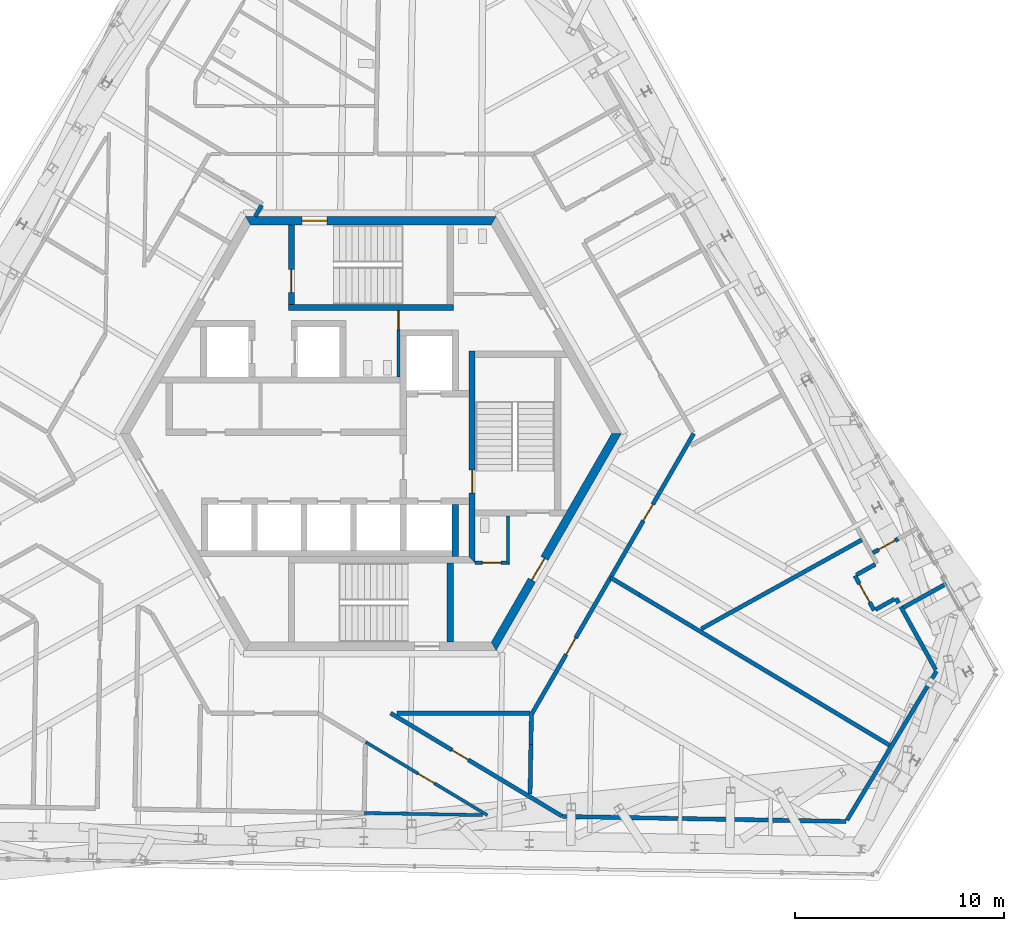
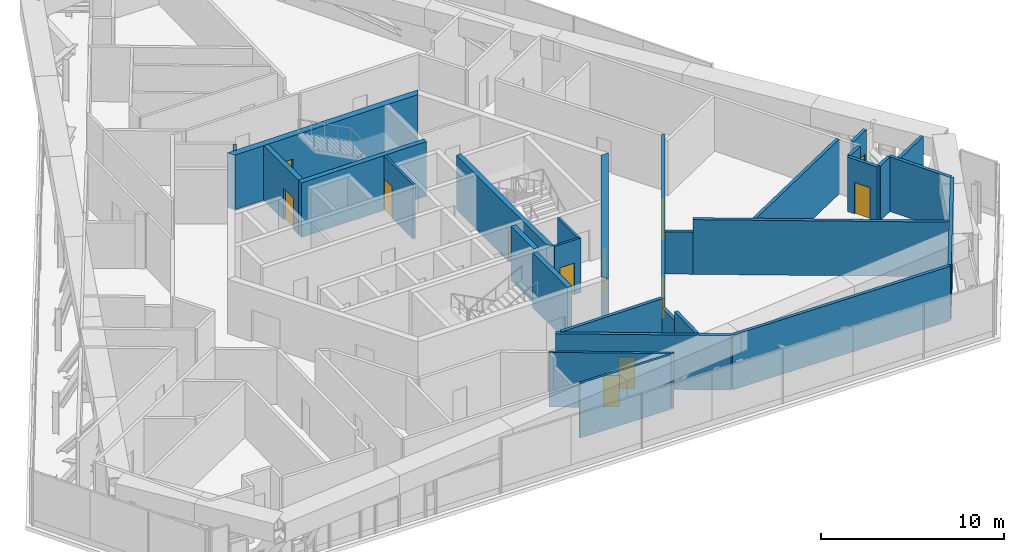
# One storey, part 17 of 28: 29 walls, 12 doors, 12 openings.
"""IFC4 building model written with IfcOpenShell, lengths in metres."""

from ifc_helpers import new_model, si_unit, direction, frame, frame_2d, origin, place, context, subcontext, project, spatial, polyline, rectangle, outline, extrude, source, transform, mapped, material, layer, layer_set, type_object, element, fill, save


model = new_model("IFC4")

# Units and contexts
model_context = context("Model", 3, precision=1e-05, world=origin(), true_north=direction((0.0, 1.0)))
body_context = subcontext(model_context, "Body", "Model", "MODEL_VIEW")
ifc_project = project(units=[si_unit("LENGTHUNIT", "METRE"), si_unit("AREAUNIT", "SQUARE_METRE"), si_unit("VOLUMEUNIT", "CUBIC_METRE"), si_unit("PLANEANGLEUNIT", "RADIAN"), si_unit("MASSUNIT", "GRAM", prefix="KILO")], contexts=[model_context])

# Site, building, storey
site_placement = place(None, origin())
site = spatial("IfcSite", under=ifc_project, at=site_placement, CompositionType="ELEMENT")
building_placement = place(site_placement, origin())
building = spatial("IfcBuilding", under=site, at=building_placement, Name="Triune Harvest Tower", CompositionType="ELEMENT")
storey_placement = place(building_placement, frame((0.0, 0.0, 215.89990234375)))
storey = spatial("IfcBuildingStorey", under=building, at=storey_placement, Name="L56", CompositionType="ELEMENT", Elevation=215.89990234375)

# Wall, opening, door
ifc_material_1 = material(Name="Gypsum board on steel studs", Category="steel")
ifc_layer_1 = layer(ifc_material_1, 0.14990234375)
ifc_layer_set_1 = layer_set([ifc_layer_1], Name="Gypsum board on steel studs")
wall_type_1 = type_object("IfcWallType", Name="Fire Partition 150 mm", PredefinedType="PARTITIONING", material=ifc_layer_set_1)
wall_1_placement = place(storey_placement, frame((-0.255126953125, -14.769287109375, 0.0), z_axis=(0.0, 0.0, 1.0), x_axis=(0.857160681813, -0.515049090431, 0.0)))
wall_1 = element("IfcWall", 1, at=wall_1_placement, inside=storey, type_object=wall_type_1, Name="Partition L56 016", PredefinedType="PARTITIONING", context=body_context, shape_type="SweptSolid", body=[
    extrude(rectangle(XDim=6.8115234375, YDim=0.14990234375, at=frame_2d((3.40576171875, 0.0))), origin(), (0.0, 0.0, 1.0), 3.64013671875),
])
opening_1_placement = place(wall_1_placement, frame((2.94677734375, 0.0, 0.0)))
opening_1 = element("IfcOpeningElement", 2, at=opening_1_placement, cuts=wall_1, Name="Opening L56-023", PredefinedType="OPENING", context=body_context, shape_type="SweptSolid", body=[
    extrude(rectangle(XDim=0.89990234375, YDim=2.10009765625, at=frame_2d((0.449951171875, 1.050048828125))), frame((0.0, 0.0849609375, 0.0), z_axis=(0.0, -1.0, 0.0), x_axis=(1.0, 0.0, 0.0)), (0.0, 0.0, 1.0), 0.169921875),
])
ifc_material_2 = material(Name="Timber and steel door set", Category="steel")
door_type_1 = type_object("IfcDoorType", Name="Single leaf door FD30 right hand 900 x 2100", OperationType="SINGLE_SWING_RIGHT", PredefinedType="DOOR", material=ifc_material_2)
door_1_placement = place(opening_1_placement, origin())
door_1 = element("IfcDoor", 3, at=door_1_placement, inside=storey, type_object=door_type_1, Name="Door L56-023 Dry Store Room 56.23", OperationType="SINGLE_SWING_RIGHT", OverallHeight=2.10009765625, OverallWidth=0.89990234375, PredefinedType="DOOR", context=body_context, shape_type="SweptSolid", body=[
    extrude(rectangle(XDim=0.89990234375, YDim=2.10009765625, at=frame_2d((0.449951171875, 1.050048828125))), frame((0.0, 0.02490234375, 0.0), z_axis=(0.0, -1.0, 0.0), x_axis=(1.0, 0.0, 0.0)), (0.0, 0.0, 1.0), 0.050048828125),
])
fill(opening_1, door_1)

ifc_material_3 = material(Name="Gypsum board on steel studs", Category="steel")
ifc_layer_2 = layer(ifc_material_3, 0.199951171875)
ifc_layer_set_2 = layer_set([ifc_layer_2], Name="Gypsum board on steel studs")
wall_type_2 = type_object("IfcWallType", Name="Fire Wall 200 mm", PredefinedType="PARTITIONING", material=ifc_layer_set_2)
wall_2_placement = place(storey_placement, frame((23.1845703125, -6.80810546875, 0.0), z_axis=(0.0, 0.0, 1.0), x_axis=(0.484846246178, -0.874599404052, 0.0)))
wall_2 = element("IfcWall", 4, at=wall_2_placement, inside=storey, type_object=wall_type_2, Name="Partition L56 002", PredefinedType="PARTITIONING", context=body_context, shape_type="SweptSolid", body=[
    extrude(rectangle(XDim=1.89990234375, YDim=0.199951171875, at=frame_2d((0.949951171875, 0.0))), origin(), (0.0, 0.0, 1.0), 3.64013671875),
])
opening_2_placement = place(wall_2_placement, frame((0.449951171875, 0.0, 0.0)))
opening_2 = element("IfcOpeningElement", 5, at=opening_2_placement, cuts=wall_2, Name="Opening L56-001", PredefinedType="OPENING", context=body_context, shape_type="SweptSolid", body=[
    extrude(rectangle(XDim=1.0, YDim=2.10009765625, at=frame_2d((0.5, 1.050048828125))), frame((0.0, 0.10986328125, 0.0), z_axis=(0.0, -1.0, 0.0), x_axis=(1.0, 0.0, 0.0)), (0.0, 0.0, 1.0), 0.219970703125),
])
ifc_material_4 = material(Name="Timber and steel door set", Category="steel")
door_type_2 = type_object("IfcDoorType", Name="Wide single leaf door FD60 right hand 1000 x 2100", OperationType="SINGLE_SWING_RIGHT", PredefinedType="DOOR", material=ifc_material_4)
door_2_placement = place(opening_2_placement, origin())
door_2 = element("IfcDoor", 6, at=door_2_placement, inside=storey, type_object=door_type_2, Name="Door L56-001 Refuge Area 56.01", OperationType="SINGLE_SWING_RIGHT", OverallHeight=2.10009765625, OverallWidth=1.0, PredefinedType="DOOR", context=body_context, shape_type="SweptSolid", body=[
    extrude(rectangle(XDim=1.0, YDim=2.10009765625, at=frame_2d((0.5, 1.050048828125))), frame((0.0, 0.02490234375, 0.0), z_axis=(0.0, -1.0, 0.0), x_axis=(1.0, 0.0, 0.0)), (0.0, 0.0, 1.0), 0.050048828125),
])
fill(opening_2, door_2)

# Wall
wall_3_placement = place(storey_placement, frame((25.1552734375, -7.88818359375, 0.0), z_axis=(0.0, 0.0, 1.0), x_axis=(0.4848241847, -0.874611633772, 0.0)))
element("IfcWall", 7, at=wall_3_placement, inside=storey, type_object=wall_type_2, Name="Partition L56 005", PredefinedType="PARTITIONING", context=body_context, shape_type="SweptSolid", body=[
    extrude(rectangle(XDim=3.92529296875, YDim=0.199951171875, at=frame_2d((1.962646484375, 0.0))), origin(), (0.0, 0.0, 1.0), 3.64013671875),
])

# Wall, opening, door
wall_4_placement = place(storey_placement, frame((0.948486328125, -13.39208984375, 0.0), z_axis=(0.0, 0.0, 1.0), x_axis=(0.857166606495, -0.515039230264, 0.0)))
wall_4 = element("IfcWall", 8, at=wall_4_placement, inside=storey, type_object=wall_type_2, Name="Partition L56 018", PredefinedType="PARTITIONING", context=body_context, shape_type="SweptSolid", body=[
    extrude(rectangle(XDim=9.5771484375, YDim=0.199951171875, at=frame_2d((4.78857421875, 0.0))), origin(), (0.0, 0.0, 1.0), 3.64013671875),
])
opening_3_placement = place(wall_4_placement, frame((3.438720703125, 0.0, 0.0)))
opening_3 = element("IfcOpeningElement", 9, at=opening_3_placement, cuts=wall_4, Name="Opening L56-024", PredefinedType="OPENING", context=body_context, shape_type="SweptSolid", body=[
    extrude(rectangle(XDim=0.89990234375, YDim=2.10009765625, at=frame_2d((0.449951171875, 1.050048828125))), frame((0.0, 0.10986328125, 0.0), z_axis=(0.0, -1.0, 0.0), x_axis=(1.0, 0.0, 0.0)), (0.0, 0.0, 1.0), 0.219970703125),
])
ifc_material_5 = material(Name="Timber and steel door set", Category="steel")
door_type_3 = type_object("IfcDoorType", Name="Single leaf door FD60 left hand 900 x 2100", OperationType="SINGLE_SWING_LEFT", PredefinedType="DOOR", material=ifc_material_5)
door_3_placement = place(opening_3_placement, origin())
door_3 = element("IfcDoor", 10, at=door_3_placement, inside=storey, type_object=door_type_3, Name="Door L56-024 Pump Plant Room 56.24", OperationType="SINGLE_SWING_LEFT", OverallHeight=2.10009765625, OverallWidth=0.89990234375, PredefinedType="DOOR", context=body_context, shape_type="SweptSolid", body=[
    extrude(rectangle(XDim=0.89990234375, YDim=2.10009765625, at=frame_2d((0.449951171875, 1.050048828125))), frame((0.0, 0.02490234375, 0.0), z_axis=(0.0, -1.0, 0.0), x_axis=(1.0, 0.0, 0.0)), (0.0, 0.0, 1.0), 0.050048828125),
])
fill(opening_3, door_3)

# Walls
wall_5_placement = place(storey_placement, frame((11.481201171875, -6.898681640625, 0.0), z_axis=(0.0, 0.0, 1.0), x_axis=(0.857212564842, -0.514962735231, 0.0)))
element("IfcWall", 11, at=wall_5_placement, inside=storey, type_object=wall_type_2, Name="Partition L56 021", PredefinedType="PARTITIONING", context=body_context, shape_type="SweptSolid", body=[
    extrude(rectangle(XDim=1.6142578125, YDim=0.199951171875, at=frame_2d((0.80712890625, 0.0))), origin(), (0.0, 0.0, 1.0), 2.79931640625),
])
wall_6_placement = place(storey_placement, frame((12.864990234375, -7.72998046875, 0.0), z_axis=(0.0, 0.0, 1.0), x_axis=(0.857160659401, -0.51504912773, 0.0)))
element("IfcWall", 12, at=wall_6_placement, inside=storey, type_object=wall_type_2, Name="Partition L56 021a", PredefinedType="PARTITIONING", context=body_context, shape_type="SweptSolid", body=[
    extrude(rectangle(XDim=14.076416015625, YDim=0.199951171875, at=frame_2d((7.0380859375, 0.0))), origin(), (0.0, 0.0, 1.0), 3.64013671875),
])
wall_7_placement = place(storey_placement, frame((9.18310546875, -18.34033203125, 0.0), z_axis=(0.0, 0.0, 1.0), x_axis=(0.999847807034, -0.017445995806, 0.0)))
element("IfcWall", 13, at=wall_7_placement, inside=storey, type_object=wall_type_2, Name="Partition L56 034", PredefinedType="PARTITIONING", context=body_context, shape_type="SweptSolid", body=[
    extrude(rectangle(XDim=13.588134765625, YDim=0.199951171875, at=frame_2d((6.7939453125, 0.0))), origin(), (0.0, 0.0, 1.0), 3.64013671875),
])
wall_8_placement = place(storey_placement, frame((1.262939453125, -13.392333984375, 0.0), z_axis=(0.0, 0.0, 1.0), x_axis=(1.0, 0.0, 0.0)))
element("IfcWall", 14, at=wall_8_placement, inside=storey, type_object=wall_type_2, Name="Partition L56 039", PredefinedType="PARTITIONING", context=body_context, shape_type="SweptSolid", body=[
    extrude(rectangle(XDim=6.36474609375, YDim=0.199951171875, at=frame_2d((3.182373046875, 0.0))), origin(), (0.0, 0.0, 1.0), 3.64013671875),
])
wall_9_placement = place(storey_placement, frame((25.49658203125, -8.339111328125, 0.0), z_axis=(0.0, 0.0, 1.0), x_axis=(0.874613696195, 0.484820464119, 0.0)))
element("IfcWall", 15, at=wall_9_placement, inside=storey, type_object=wall_type_2, Name="Partition L56 044", PredefinedType="PARTITIONING", context=body_context, shape_type="SweptSolid", body=[
    extrude(rectangle(XDim=2.420166015625, YDim=0.199951171875, at=frame_2d((1.2099609375, 0.0))), origin(), (0.0, 0.0, 1.0), 3.64013671875),
])

# Wall, opening, door
wall_10_placement = place(storey_placement, frame((24.042236328125, -5.715087890625, 0.0), z_axis=(0.0, 0.0, 1.0), x_axis=(0.874606139937, 0.484834095319, 0.0)))
wall_10 = element("IfcWall", 16, at=wall_10_placement, inside=storey, type_object=wall_type_2, Name="Partition L56 047", PredefinedType="PARTITIONING", context=body_context, shape_type="SweptSolid", body=[
    extrude(rectangle(XDim=1.38427734375, YDim=0.199951171875, at=frame_2d((0.692138671875, 0.0))), origin(), (0.0, 0.0, 1.0), 3.64013671875),
])
opening_4_placement = place(wall_10_placement, frame((0.320068359375, 0.0, 0.0)))
opening_4 = element("IfcOpeningElement", 17, at=opening_4_placement, cuts=wall_10, Name="Opening L56-026", PredefinedType="OPENING", context=body_context, shape_type="SweptSolid", body=[
    extrude(rectangle(XDim=0.89990234375, YDim=2.10009765625, at=frame_2d((0.449951171875, 1.050048828125))), frame((0.0, 0.10986328125, 0.0), z_axis=(0.0, -1.0, 0.0), x_axis=(1.0, 0.0, 0.0)), (0.0, 0.0, 1.0), 0.219970703125),
])
ifc_material_6 = material(Name="Timber and steel door set", Category="steel")
door_type_4 = type_object("IfcDoorType", Name="Single leaf door FD60 right hand 900 x 2100", OperationType="SINGLE_SWING_RIGHT", PredefinedType="DOOR", material=ifc_material_6)
door_4_placement = place(opening_4_placement, origin())
door_4 = element("IfcDoor", 18, at=door_4_placement, inside=storey, type_object=door_type_4, Name="Door L56-026 Refuge Lobby 56.26", OperationType="SINGLE_SWING_RIGHT", OverallHeight=2.10009765625, OverallWidth=0.89990234375, PredefinedType="DOOR", context=body_context, shape_type="SweptSolid", body=[
    extrude(rectangle(XDim=0.89990234375, YDim=2.10009765625, at=frame_2d((0.449951171875, 1.050048828125))), frame((0.0, 0.02490234375, 0.0), z_axis=(0.0, -1.0, 0.0), x_axis=(1.0, 0.0, 0.0)), (0.0, 0.0, 1.0), 0.050048828125),
])
fill(opening_4, door_4)

# Walls
wall_11_placement = place(storey_placement, frame((15.823486328125, -9.356201171875, 0.0), z_axis=(0.0, 0.0, 1.0), x_axis=(0.87461786754, 0.484812938956, 0.0)))
element("IfcWall", 19, at=wall_11_placement, inside=storey, type_object=wall_type_2, Name="Partition L56 048", PredefinedType="PARTITIONING", context=body_context, shape_type="SweptSolid", body=[
    extrude(rectangle(XDim=8.79345703125, YDim=0.199951171875, at=frame_2d((4.396728515625, 0.0))), origin(), (0.0, 0.0, 1.0), 3.64013671875),
])
wall_12_placement = place(storey_placement, frame((22.805419921875, -18.51708984375, 0.0), z_axis=(0.0, 0.0, 1.0), x_axis=(0.515052104833, 0.857158870518, 0.0)))
element("IfcWall", 20, at=wall_12_placement, inside=storey, type_object=wall_type_2, Name="Partition L56 058", PredefinedType="PARTITIONING", context=body_context, shape_type="SweptSolid", body=[
    extrude(rectangle(XDim=8.3232421875, YDim=0.199951171875, at=frame_2d((4.16162109375, 0.0))), origin(), (0.0, 0.0, 1.0), 3.64013671875),
])

# Wall, openings, doors
wall_13_placement = place(storey_placement, frame((7.693603515625, -13.458251953125, 0.0), z_axis=(0.0, 0.0, 1.0), x_axis=(0.500028414522, 0.866008998031, 0.0)))
wall_13 = element("IfcWall", 21, at=wall_13_placement, inside=storey, type_object=wall_type_2, Name="Partition L56 067", PredefinedType="PARTITIONING", context=body_context, shape_type="SweptSolid", body=[
    extrude(rectangle(XDim=15.541015625, YDim=0.199951171875, at=frame_2d((7.7705078125, 0.0))), origin(), (0.0, 0.0, 1.0), 3.64013671875),
])
opening_5_placement = place(wall_13_placement, frame((10.724609375, 0.0, 0.0)))
opening_5 = element("IfcOpeningElement", 22, at=opening_5_placement, cuts=wall_13, Name="Opening L56-002", PredefinedType="OPENING", context=body_context, shape_type="SweptSolid", body=[
    extrude(rectangle(XDim=0.89990234375, YDim=2.10009765625, at=frame_2d((0.449951171875, 1.050048828125))), frame((0.0, 0.10986328125, 0.0), z_axis=(0.0, -1.0, 0.0), x_axis=(1.0, 0.0, 0.0)), (0.0, 0.0, 1.0), 0.219970703125),
])
opening_6_placement = place(wall_13_placement, frame((3.326416015625, 0.0, 0.0)))
opening_6 = element("IfcOpeningElement", 23, at=opening_6_placement, cuts=wall_13, Name="Opening L56-025", PredefinedType="OPENING", context=body_context, shape_type="SweptSolid", body=[
    extrude(rectangle(XDim=0.89990234375, YDim=2.10009765625, at=frame_2d((0.449951171875, 1.050048828125))), frame((0.0, 0.10986328125, 0.0), z_axis=(0.0, -1.0, 0.0), x_axis=(1.0, 0.0, 0.0)), (0.0, 0.0, 1.0), 0.219970703125),
])
door_5_placement = place(opening_5_placement, origin())
door_5 = element("IfcDoor", 24, at=door_5_placement, inside=storey, type_object=door_type_3, Name="Door L56-002 Fire Pump Room 56.02", OperationType="SINGLE_SWING_LEFT", OverallHeight=2.10009765625, OverallWidth=0.89990234375, PredefinedType="DOOR", context=body_context, shape_type="SweptSolid", body=[
    extrude(rectangle(XDim=0.89990234375, YDim=2.10009765625, at=frame_2d((0.449951171875, 1.050048828125))), frame((0.0, 0.02490234375, 0.0), z_axis=(0.0, -1.0, 0.0), x_axis=(1.0, 0.0, 0.0)), (0.0, 0.0, 1.0), 0.050048828125),
])
fill(opening_5, door_5)
door_6_placement = place(opening_6_placement, origin())
door_6 = element("IfcDoor", 25, at=door_6_placement, inside=storey, type_object=door_type_4, Name="Door L56-025 Water Tank Room 56.25", OperationType="SINGLE_SWING_RIGHT", OverallHeight=2.10009765625, OverallWidth=0.89990234375, PredefinedType="DOOR", context=body_context, shape_type="SweptSolid", body=[
    extrude(rectangle(XDim=0.89990234375, YDim=2.10009765625, at=frame_2d((0.449951171875, 1.050048828125))), frame((0.0, 0.02490234375, 0.0), z_axis=(0.0, -1.0, 0.0), x_axis=(1.0, 0.0, 0.0)), (0.0, 0.0, 1.0), 0.050048828125),
])
fill(opening_6, door_6)

# Walls
wall_14_placement = place(storey_placement, frame((7.627197265625, -17.253662109375, 0.0), z_axis=(0.0, 0.0, 1.0), x_axis=(0.017497579689, 0.999846905634, 0.0)))
element("IfcWall", 26, at=wall_14_placement, inside=storey, type_object=wall_type_2, Name="Partition L56 071", PredefinedType="PARTITIONING", context=body_context, shape_type="SweptSolid", body=[
    extrude(rectangle(XDim=2.35791015625, YDim=0.199951171875, at=frame_2d((1.178955078125, 0.0))), origin(), (0.0, 0.0, 1.0), 3.64013671875),
])
wall_15_placement = place(storey_placement, frame((7.66845703125, -14.89599609375, 0.0), z_axis=(0.0, 0.0, 1.0), x_axis=(0.017388674879, 0.999848805563, 0.0)))
element("IfcWall", 27, at=wall_15_placement, inside=storey, type_object=wall_type_2, Name="Partition L56 071a", PredefinedType="PARTITIONING", context=body_context, shape_type="SweptSolid", body=[
    extrude(rectangle(XDim=1.404052734375, YDim=0.199951171875, at=frame_2d((0.7021484375, 0.0))), origin(), (0.0, 0.0, 1.0), 3.02783203125),
])

# Wall, opening, door
ifc_material_7 = material(Name="Concrete 70 MPa", Category="concrete")
ifc_layer_3 = layer(ifc_material_7, 0.39990234375)
ifc_layer_set_3 = layer_set([ifc_layer_3], Name="Concrete 70 MPa")
wall_type_3 = type_object("IfcWallType", Name="Core wall 400", PredefinedType="SHEAR", material=ifc_layer_set_3)
shared_shape_1 = source(origin(), body_context, "Body", "SweptSolid", [
    extrude(outline(polyline([(-0.115478515625, -0.199951171875), (11.884521484375, -0.199951171875), (11.653564453125, 0.199951171875), (0.115478515625, 0.199951171875), (-0.115478515625, -0.199951171875)])), origin(), (0.0, 0.0, 1.0), 3.64013671875),
])
wall_16_placement = place(storey_placement, frame((5.884521484375, 10.1923828125, 0.0), z_axis=(0.0, 0.0, 1.0), x_axis=(-1.0, 0.0, 0.0)))
wall_16 = element("IfcWall", 28, at=wall_16_placement, inside=storey, type_object=wall_type_3, Name="Hexagon 1 wall", PredefinedType="SHEAR", context=body_context, shape_type="MappedRepresentation", body=[
    mapped(shared_shape_1, transform((0.0, 0.0, 0.0), scale=1.0)),
])
opening_7_placement = place(wall_16_placement, frame((7.984619140625, 0.0, 0.0)))
opening_7 = element("IfcOpeningElement", 29, at=opening_7_placement, cuts=wall_16, Name="Opening CD-S1P", PredefinedType="OPENING", context=body_context, shape_type="SweptSolid", body=[
    extrude(rectangle(XDim=1.199951171875, YDim=2.10009765625, at=frame_2d((0.60009765625, 1.050048828125))), frame((0.0, 0.2099609375, 0.0), z_axis=(0.0, -1.0, 0.0), x_axis=(1.0, 0.0, 0.0)), (0.0, 0.0, 1.0), 0.419921875),
])
ifc_material_8 = material(Name="Steel S235", Category="steel")
door_type_5 = type_object("IfcDoorType", Name="Stair door 1200 FD120", OperationType="SINGLE_SWING_LEFT", PredefinedType="DOOR", material=ifc_material_8)
door_7_placement = place(opening_7_placement, frame((1.199951171875, 0.0, 0.0), z_axis=(0.0, 0.0, 1.0), x_axis=(-1.0, 0.0, 0.0)))
door_7 = element("IfcDoor", 30, at=door_7_placement, inside=storey, type_object=door_type_5, Name="Door CD-S1P", OperationType="SINGLE_SWING_RIGHT", OverallHeight=2.10009765625, OverallWidth=1.199951171875, PredefinedType="DOOR", context=body_context, shape_type="SweptSolid", body=[
    extrude(rectangle(XDim=1.199951171875, YDim=2.10009765625, at=frame_2d((0.60009765625, 1.050048828125))), frame((0.0, 0.02490234375, 0.0), z_axis=(0.0, -1.0, 0.0), x_axis=(1.0, 0.0, 0.0)), (0.0, 0.0, 1.0), 0.050048828125),
])
fill(opening_7, door_7)

wall_17_placement = place(storey_placement, frame((5.884521484375, -10.1923828125, 0.0), z_axis=(0.0, 0.0, 1.0), x_axis=(0.499996592174, 0.866027371285, 0.0)))
wall_17 = element("IfcWall", 31, at=wall_17_placement, inside=storey, type_object=wall_type_3, Name="Hexagon 5 wall", PredefinedType="SHEAR", context=body_context, shape_type="MappedRepresentation", body=[
    mapped(shared_shape_1, transform((0.0, 0.0, 0.0), scale=1.0)),
])
opening_8_placement = place(wall_17_placement, frame((3.66455078125, 0.0, 0.0)))
opening_8 = element("IfcOpeningElement", 32, at=opening_8_placement, cuts=wall_17, Name="Opening CD-DP", PredefinedType="OPENING", context=body_context, shape_type="SweptSolid", body=[
    extrude(rectangle(XDim=1.199951171875, YDim=2.10009765625, at=frame_2d((0.60009765625, 1.050048828125))), frame((0.0, 0.2099609375, 0.0), z_axis=(0.0, -1.0, 0.0), x_axis=(1.0, 0.0, 0.0)), (0.0, 0.0, 1.0), 0.419921875),
])
door_8_placement = place(opening_8_placement, frame((1.199951171875, 0.0, 0.0), z_axis=(0.0, 0.0, 1.0), x_axis=(-1.0, 0.0, 0.0)))
door_8 = element("IfcDoor", 33, at=door_8_placement, inside=storey, type_object=door_type_5, Name="Door CD-DP", OperationType="SINGLE_SWING_RIGHT", OverallHeight=2.10009765625, OverallWidth=1.199951171875, PredefinedType="DOOR", context=body_context, shape_type="SweptSolid", body=[
    extrude(rectangle(XDim=1.199951171875, YDim=2.10009765625, at=frame_2d((0.60009765625, 1.050048828125))), frame((0.0, 0.02490234375, 0.0), z_axis=(0.0, -1.0, 0.0), x_axis=(1.0, 0.0, 0.0)), (0.0, 0.0, 1.0), 0.050048828125),
])
fill(opening_8, door_8)

# Wall
ifc_material_9 = material(Name="Concrete 70 MPa", Category="concrete")
ifc_layer_4 = layer(ifc_material_9, 0.300048828125)
ifc_layer_set_4 = layer_set([ifc_layer_4], Name="Concrete 70 MPa")
wall_type_4 = type_object("IfcWallType", Name="Core wall 300", PredefinedType="SHEAR", material=ifc_layer_set_4)
shared_shape_2 = source(origin(), body_context, "Body", "SweptSolid", [
    extrude(rectangle(XDim=2.5, YDim=0.300048828125, at=frame_2d((1.25, 0.0))), origin(), (0.0, 0.0, 1.0), 3.64013671875),
])
wall_18_placement = place(storey_placement, frame((4.050048828125, -5.889892578125, 0.0), z_axis=(0.0, 0.0, 1.0), x_axis=(0.0, 1.0, 0.0)))
element("IfcWall", 34, at=wall_18_placement, inside=storey, type_object=wall_type_4, Name="Ff2 east wall", PredefinedType="SHEAR", context=body_context, shape_type="MappedRepresentation", body=[
    mapped(shared_shape_2, transform((0.0, 0.0, 0.0), scale=1.0)),
])

# Wall, opening, door
shared_shape_3 = source(origin(), body_context, "Body", "SweptSolid", [
    extrude(outline(polyline([(-0.14990234375, -0.14990234375), (9.989990234375, -0.14990234375), (9.989990234375, 0.14990234375), (0.14990234375, 0.14990234375), (-0.14990234375, -0.14990234375)])), origin(), (0.0, 0.0, 1.0), 3.64013671875),
])
wall_19_placement = place(storey_placement, frame((4.85009765625, -6.0400390625, 0.0), z_axis=(0.0, 0.0, 1.0), x_axis=(0.0, 1.0, 0.0)))
wall_19 = element("IfcWall", 35, at=wall_19_placement, inside=storey, type_object=wall_type_4, Name="Stair e west wall", PredefinedType="SHEAR", context=body_context, shape_type="MappedRepresentation", body=[
    mapped(shared_shape_3, transform((0.0, 0.0, 0.0), scale=1.0)),
])
opening_9_placement = place(wall_19_placement, frame((3.18994140625, 0.0, 0.0)))
opening_9 = element("IfcOpeningElement", 36, at=opening_9_placement, cuts=wall_19, Name="Opening CD-S3L", PredefinedType="OPENING", context=body_context, shape_type="SweptSolid", body=[
    extrude(rectangle(XDim=1.10009765625, YDim=2.10009765625, at=frame_2d((0.550048828125, 1.050048828125))), frame((0.0, 0.16015625, 0.0), z_axis=(0.0, -1.0, 0.0), x_axis=(1.0, 0.0, 0.0)), (0.0, 0.0, 1.0), 0.320068359375),
])
ifc_material_10 = material(Name="Steel S235", Category="steel")
door_type_6 = type_object("IfcDoorType", Name="Stair door 1100 FD120", OperationType="SINGLE_SWING_LEFT", PredefinedType="DOOR", material=ifc_material_10)
door_9_placement = place(opening_9_placement, frame((1.10009765625, 0.0, 0.0), z_axis=(0.0, 0.0, 1.0), x_axis=(-1.0, 0.0, 0.0)))
door_9 = element("IfcDoor", 37, at=door_9_placement, inside=storey, type_object=door_type_6, Name="Door CD-S3L", OperationType="SINGLE_SWING_RIGHT", OverallHeight=2.10009765625, OverallWidth=1.10009765625, PredefinedType="DOOR", context=body_context, shape_type="SweptSolid", body=[
    extrude(rectangle(XDim=1.10009765625, YDim=2.10009765625, at=frame_2d((0.550048828125, 1.050048828125))), frame((0.0, 0.02490234375, 0.0), z_axis=(0.0, -1.0, 0.0), x_axis=(1.0, 0.0, 0.0)), (0.0, 0.0, 1.0), 0.050048828125),
])
fill(opening_9, door_9)

# Wall
shared_shape_4 = source(origin(), body_context, "Body", "SweptSolid", [
    extrude(rectangle(XDim=7.89990234375, YDim=0.300048828125, at=frame_2d((3.949951171875, 0.0))), origin(), (0.0, 0.0, 1.0), 3.64013671875),
])
wall_20_placement = place(storey_placement, frame((-3.949951171875, 6.0400390625, 0.0), z_axis=(0.0, 0.0, 1.0), x_axis=(1.0, 0.0, 0.0)))
element("IfcWall", 38, at=wall_20_placement, inside=storey, type_object=wall_type_4, Name="Stair n south wall", PredefinedType="SHEAR", context=body_context, shape_type="MappedRepresentation", body=[
    mapped(shared_shape_4, transform((0.0, 0.0, 0.0), scale=1.0)),
])

# Wall, opening, door
shared_shape_5 = source(origin(), body_context, "Body", "SweptSolid", [
    extrude(outline(polyline([(0.0, -0.14990234375), (0.0, 0.14990234375), (3.80419921875, 0.14990234375), (3.80419921875, -0.14990234375), (0.0, -0.14990234375)])), origin(), (0.0, 0.0, 1.0), 3.64013671875),
])
wall_21_placement = place(storey_placement, frame((-3.800048828125, 6.18994140625, 0.0), z_axis=(0.0, 0.0, 1.0), x_axis=(0.0, 1.0, 0.0)))
wall_21 = element("IfcWall", 39, at=wall_21_placement, inside=storey, type_object=wall_type_4, Name="Stair n west wall", PredefinedType="SHEAR", context=body_context, shape_type="MappedRepresentation", body=[
    mapped(shared_shape_5, transform((0.0, 0.0, 0.0), scale=1.0)),
])
opening_10_placement = place(wall_21_placement, frame((0.56005859375, 0.0, 0.0)))
opening_10 = element("IfcOpeningElement", 40, at=opening_10_placement, cuts=wall_21, Name="Opening CD-S1L", PredefinedType="OPENING", context=body_context, shape_type="SweptSolid", body=[
    extrude(rectangle(XDim=1.10009765625, YDim=2.10009765625, at=frame_2d((0.550048828125, 1.050048828125))), frame((0.0, 0.16015625, 0.0), z_axis=(0.0, -1.0, 0.0), x_axis=(1.0, 0.0, 0.0)), (0.0, 0.0, 1.0), 0.320068359375),
])
door_10_placement = place(opening_10_placement, frame((1.10009765625, 0.0, 0.0), z_axis=(0.0, 0.0, 1.0), x_axis=(-1.0, 0.0, 0.0)))
door_10 = element("IfcDoor", 41, at=door_10_placement, inside=storey, type_object=door_type_6, Name="Door CD-S1L", OperationType="SINGLE_SWING_RIGHT", OverallHeight=2.10009765625, OverallWidth=1.10009765625, PredefinedType="DOOR", context=body_context, shape_type="SweptSolid", body=[
    extrude(rectangle(XDim=1.10009765625, YDim=2.10009765625, at=frame_2d((0.550048828125, 1.050048828125))), frame((0.0, 0.02490234375, 0.0), z_axis=(0.0, -1.0, 0.0), x_axis=(1.0, 0.0, 0.0)), (0.0, 0.0, 1.0), 0.050048828125),
])
fill(opening_10, door_10)

# Wall
shared_shape_6 = source(origin(), body_context, "Body", "SweptSolid", [
    extrude(outline(polyline([(3.800048828125, -0.14990234375), (-0.00439453125, -0.14990234375), (-0.00439453125, 0.14990234375), (3.800048828125, 0.14990234375), (3.800048828125, -0.14990234375)])), origin(), (0.0, 0.0, 1.0), 3.64013671875),
])
wall_22_placement = place(storey_placement, frame((3.800048828125, -9.989990234375, 0.0), z_axis=(0.0, 0.0, 1.0), x_axis=(0.0, 1.0, 0.0)))
element("IfcWall", 42, at=wall_22_placement, inside=storey, type_object=wall_type_4, Name="Stair s east wall", PredefinedType="SHEAR", context=body_context, shape_type="MappedRepresentation", body=[
    mapped(shared_shape_6, transform((0.0, 0.0, 0.0), scale=1.0)),
])

# Wall, opening, door
ifc_material_11 = material(Name="Concrete masonry unit", Category="masonry")
ifc_layer_5 = layer(ifc_material_11, 0.14990234375)
ifc_layer_set_5 = layer_set([ifc_layer_5], Name="Concrete masonry unit")
wall_type_5 = type_object("IfcWallType", Name="Block partition 150 unrated", PredefinedType="PARTITIONING", material=ifc_layer_set_5)
shared_shape_7 = source(origin(), body_context, "Body", "SweptSolid", [
    extrude(rectangle(XDim=3.179931640625, YDim=0.14990234375, at=frame_2d((1.58984375, 0.0))), origin(), (0.0, 0.0, 1.0), 3.64013671875),
])
wall_23_placement = place(storey_placement, frame((1.324951171875, 2.7099609375, 0.0), z_axis=(0.0, 0.0, 1.0), x_axis=(0.0, 1.0, 0.0)))
wall_23 = element("IfcWall", 43, at=wall_23_placement, inside=storey, type_object=wall_type_5, Name="Wc men east wall", PredefinedType="PARTITIONING", context=body_context, shape_type="MappedRepresentation", body=[
    mapped(shared_shape_7, transform((0.0, 0.0, 0.0), scale=1.0)),
])
opening_11_placement = place(wall_23_placement, frame((2.264892578125, 0.0, 0.0)))
opening_11 = element("IfcOpeningElement", 44, at=opening_11_placement, cuts=wall_23, Name="Opening CD-WM", PredefinedType="OPENING", context=body_context, shape_type="SweptSolid", body=[
    extrude(rectangle(XDim=0.89990234375, YDim=2.10009765625, at=frame_2d((0.449951171875, 1.050048828125))), frame((0.0, 0.0849609375, 0.0), z_axis=(0.0, -1.0, 0.0), x_axis=(1.0, 0.0, 0.0)), (0.0, 0.0, 1.0), 0.169921875),
])
ifc_material_12 = material(Name="Timber C24", Category="wood")
door_type_7 = type_object("IfcDoorType", Name="WC door 900", OperationType="SINGLE_SWING_LEFT", PredefinedType="DOOR", material=ifc_material_12)
door_11_placement = place(opening_11_placement, origin())
door_11 = element("IfcDoor", 45, at=door_11_placement, inside=storey, type_object=door_type_7, Name="Door CD-WM", OperationType="SINGLE_SWING_LEFT", OverallHeight=2.10009765625, OverallWidth=0.89990234375, PredefinedType="DOOR", context=body_context, shape_type="SweptSolid", body=[
    extrude(rectangle(XDim=0.89990234375, YDim=2.10009765625, at=frame_2d((0.449951171875, 1.050048828125))), frame((0.0, 0.02490234375, 0.0), z_axis=(0.0, -1.0, 0.0), x_axis=(1.0, 0.0, 0.0)), (0.0, 0.0, 1.0), 0.050048828125),
])
fill(opening_11, door_11)

shared_shape_8 = source(origin(), body_context, "Body", "SweptSolid", [
    extrude(outline(polyline([(0.0, -0.074951171875), (1.64990234375, -0.074951171875), (1.5, 0.074951171875), (0.0, 0.074951171875), (0.0, -0.074951171875)])), origin(), (0.0, 0.0, 1.0), 3.64013671875),
])
wall_24_placement = place(storey_placement, frame((5.0, -6.18994140625, 0.0), z_axis=(0.0, 0.0, 1.0), x_axis=(1.0, 0.0, 0.0)))
wall_24 = element("IfcWall", 46, at=wall_24_placement, inside=storey, type_object=wall_type_5, Name="Wc acc south wall", PredefinedType="PARTITIONING", context=body_context, shape_type="MappedRepresentation", body=[
    mapped(shared_shape_8, transform((0.0, 0.0, 0.0), scale=1.0)),
])
opening_12_placement = place(wall_24_placement, frame((0.33740234375, 0.0, 0.0)))
opening_12 = element("IfcOpeningElement", 47, at=opening_12_placement, cuts=wall_24, Name="Opening CD-WA", PredefinedType="OPENING", context=body_context, shape_type="SweptSolid", body=[
    extrude(rectangle(XDim=0.89990234375, YDim=2.10009765625, at=frame_2d((0.449951171875, 1.050048828125))), frame((0.0, 0.0849609375, 0.0), z_axis=(0.0, -1.0, 0.0), x_axis=(1.0, 0.0, 0.0)), (0.0, 0.0, 1.0), 0.169921875),
])
door_12_placement = place(opening_12_placement, origin())
door_12 = element("IfcDoor", 48, at=door_12_placement, inside=storey, type_object=door_type_7, Name="Door CD-WA", OperationType="SINGLE_SWING_LEFT", OverallHeight=2.10009765625, OverallWidth=0.89990234375, PredefinedType="DOOR", context=body_context, shape_type="SweptSolid", body=[
    extrude(rectangle(XDim=0.89990234375, YDim=2.10009765625, at=frame_2d((0.449951171875, 1.050048828125))), frame((0.0, 0.02490234375, 0.0), z_axis=(0.0, -1.0, 0.0), x_axis=(1.0, 0.0, 0.0)), (0.0, 0.0, 1.0), 0.050048828125),
])
fill(opening_12, door_12)

# Walls
shared_shape_9 = source(origin(), body_context, "Body", "SweptSolid", [
    extrude(outline(polyline([(-0.074951171875, -0.074951171875), (2.239990234375, -0.074951171875), (2.239990234375, 0.074951171875), (0.074951171875, 0.074951171875), (-0.074951171875, -0.074951171875)])), origin(), (0.0, 0.0, 1.0), 3.64013671875),
])
wall_25_placement = place(storey_placement, frame((6.574951171875, -6.18994140625, 0.0), z_axis=(0.0, 0.0, 1.0), x_axis=(0.0, 1.0, 0.0)))
element("IfcWall", 49, at=wall_25_placement, inside=storey, type_object=wall_type_5, Name="Wc acc east wall", PredefinedType="PARTITIONING", context=body_context, shape_type="MappedRepresentation", body=[
    mapped(shared_shape_9, transform((0.0, 0.0, 0.0), scale=1.0)),
])
shared_shape_10 = source(origin(), body_context, "Body", "SweptSolid", [
    extrude(rectangle(XDim=1.0400390625, YDim=0.199951171875, at=frame_2d((0.52001953125, 0.0))), origin(), (0.0, 0.0, 1.0), 3.64013671875),
])
for number, where, z_axis, x_axis, name in (
    (50, (24.175537109375, -8.430908203125, 0.0), (0.0, 0.0, 1.0), (0.874655092766, 0.484745777392, 0.0), "Partition L56 045"),
    (51, (23.25439453125, -6.769287109375, 0.0), (0.0, 0.0, 1.0), (0.87455555776, 0.484925330738, 0.0), "Partition L56 046"),
):
    element("IfcWall", number, at=place(storey_placement, frame(where, z_axis=z_axis, x_axis=x_axis)), inside=storey, type_object=wall_type_2, Name=name, PredefinedType="PARTITIONING", context=body_context, shape_type="MappedRepresentation", body=[
        mapped(shared_shape_10, transform((0.0, 0.0, 0.0), scale=1.0)),
    ])
shared_shape_11 = source(origin(), body_context, "Body", "SweptSolid", [
    extrude(rectangle(XDim=0.62109375, YDim=0.199951171875, at=frame_2d((0.310546875, 0.0))), origin(), (0.0, 0.0, 1.0), 3.64013671875),
])
wall_26_placement = place(storey_placement, frame((-5.5380859375, 10.392333984375, 0.0), z_axis=(0.0, 0.0, 1.0), x_axis=(0.500028703312, 0.866008831286, 0.0)))
element("IfcWall", 52, at=wall_26_placement, inside=storey, type_object=wall_type_2, Name="Partition L56 068", PredefinedType="PARTITIONING", context=body_context, shape_type="MappedRepresentation", body=[
    mapped(shared_shape_11, transform((0.0, 0.0, 0.0), scale=1.0)),
])
shared_shape_12 = source(origin(), body_context, "Body", "SweptSolid", [
    extrude(rectangle(XDim=5.6591796875, YDim=0.14990234375, at=frame_2d((2.82958984375, 0.0))), origin(), (0.0, 0.0, 1.0), 3.64013671875),
])
wall_27_placement = place(storey_placement, frame((-0.314208984375, -18.17431640625, 0.0), z_axis=(0.0, 0.0, 1.0), x_axis=(0.999847347601, -0.017472306514, 0.0)))
element("IfcWall", 53, at=wall_27_placement, inside=storey, type_object=wall_type_1, Name="Partition L56 033", PredefinedType="PARTITIONING", context=body_context, shape_type="MappedRepresentation", body=[
    mapped(shared_shape_12, transform((0.0, 0.0, 0.0), scale=1.0)),
])

save(model, "model.ifc")
